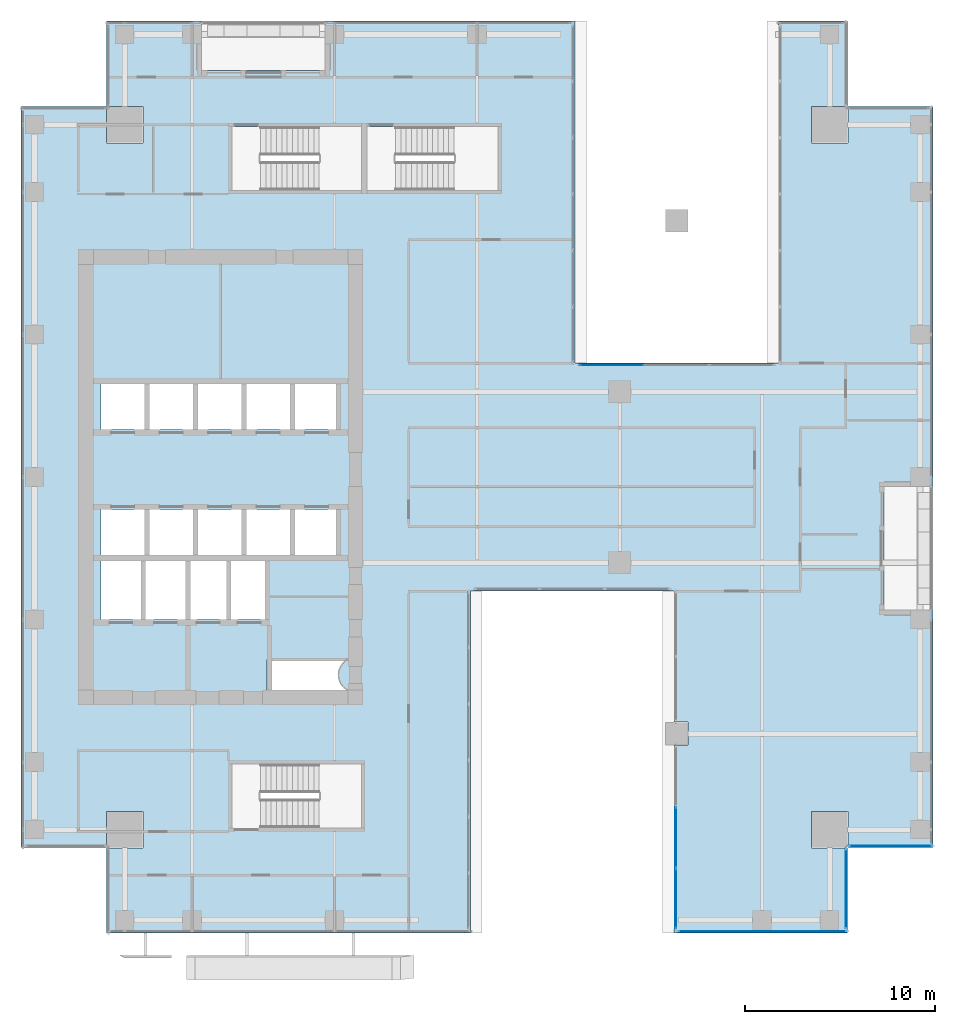
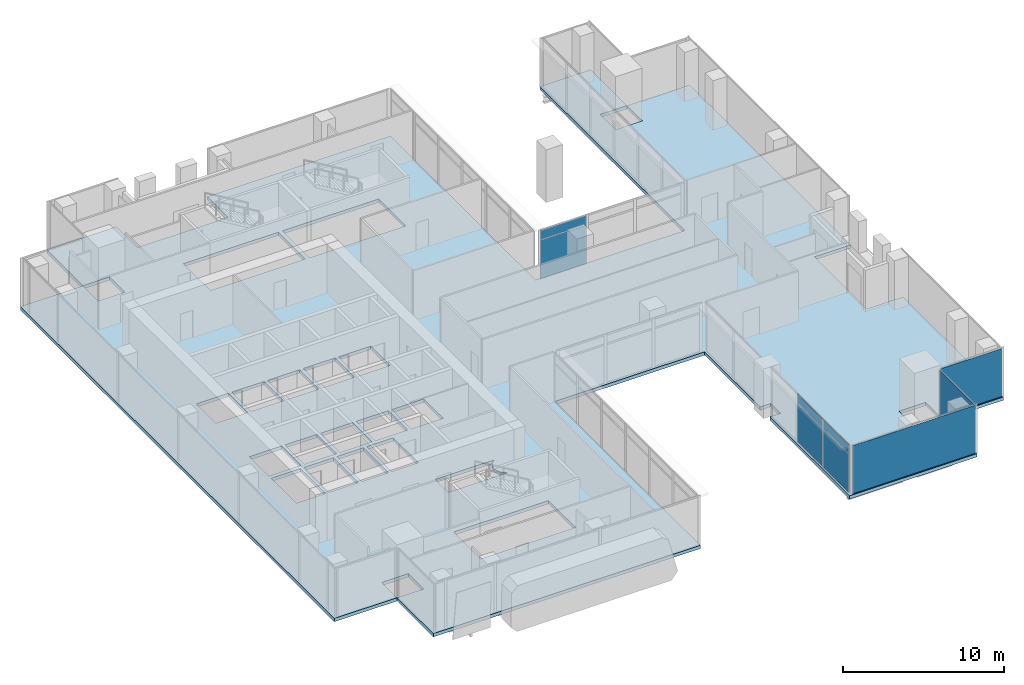
# One storey, part 29 of 38: 9 plates, 1 slab, 5 elements without a shape of their own.
"""IFC4 building model written with IfcOpenShell, lengths in metres."""

from ifc_helpers import new_model, si_unit, direction, frame, origin, origin_2d, place, context, subcontext, project, spatial, polyline, rectangle, outline, extrude, source, transform, mapped, material, layer, layer_set, type_object, element, aggregate, save


model = new_model("IFC4")

# Units and contexts
model_context = context("Model", 3, precision=1e-05, world=origin(), true_north=direction((0.0, 1.0)))
body_context = subcontext(model_context, "Body", "Model", "MODEL_VIEW")
ifc_project = project(units=[si_unit("LENGTHUNIT", "METRE"), si_unit("AREAUNIT", "SQUARE_METRE"), si_unit("VOLUMEUNIT", "CUBIC_METRE"), si_unit("PLANEANGLEUNIT", "RADIAN"), si_unit("MASSUNIT", "GRAM", prefix="KILO")], contexts=[model_context])

# Site, building, storey
site_placement = place(None, origin())
site = spatial("IfcSite", under=ifc_project, at=site_placement, CompositionType="ELEMENT")
building_placement = place(site_placement, origin())
building = spatial("IfcBuilding", under=site, at=building_placement, Name="Khomas Fold Tower", CompositionType="ELEMENT")
storey_placement = place(building_placement, frame((0.0, 0.0, 172.699951171875)))
storey = spatial("IfcBuildingStorey", under=building, at=storey_placement, Name="L37", CompositionType="ELEMENT", Elevation=172.699951171875)

# Slab
ifc_material_1 = material(Name="Concrete C40/50", Category="concrete")
ifc_layer_1 = layer(ifc_material_1, 0.25)
ifc_layer_set_1 = layer_set([ifc_layer_1], Name="Concrete C40/50")
slab_type = type_object("IfcSlabType", Name="RC floor slab 250", PredefinedType="FLOOR", material=ifc_layer_set_1)
shared_shape_1 = source(origin(), body_context, "Body", "SweptSolid", [
    extrude(outline(polyline([(3.0, 7.5), (7.4951171875, 7.5), (7.4951171875, 9.405029296875), (9.405029296875, 9.405029296875), (9.405029296875, 7.4951171875), (7.5, 7.4951171875), (7.5, 3.0), (26.64990234375, 3.0), (26.64990234375, 21.0), (37.35009765625, 21.0), (37.35009765625, 14.10498046875), (38.10498046875, 14.10498046875), (38.10498046875, 12.89501953125), (37.35009765625, 12.89501953125), (37.35009765625, 3.0), (46.5, 3.0), (46.5, 7.4951171875), (44.594970703125, 7.4951171875), (44.594970703125, 9.405029296875), (46.5048828125, 9.405029296875), (46.5048828125, 7.5), (51.0, 7.5), (51.0, 20.0), (48.39990234375, 20.0), (48.39990234375, 26.5), (51.0, 26.5), (51.0, 46.5), (46.5048828125, 46.5), (46.5048828125, 44.594970703125), (44.594970703125, 44.594970703125), (44.594970703125, 46.5048828125), (46.5, 46.5048828125), (46.5, 51.0), (42.85009765625, 51.0), (42.85009765625, 33.0), (32.14990234375, 33.0), (32.14990234375, 51.0), (19.0, 51.0), (19.0, 48.39990234375), (12.5, 48.39990234375), (12.5, 51.0), (7.5, 51.0), (7.5, 46.5048828125), (9.405029296875, 46.5048828125), (9.405029296875, 44.594970703125), (7.4951171875, 44.594970703125), (7.4951171875, 46.5), (3.0, 46.5), (3.0, 7.5)]), holes=[polyline([(7.199951171875, 19.5), (7.199951171875, 22.60009765625), (9.300048828125, 22.60009765625), (9.300048828125, 19.5), (7.199951171875, 19.5)]), polyline([(7.199951171875, 22.89990234375), (7.199951171875, 25.300048828125), (9.5, 25.300048828125), (9.5, 22.89990234375), (7.199951171875, 22.89990234375)]), polyline([(7.199951171875, 29.5), (7.199951171875, 31.89990234375), (9.5, 31.89990234375), (9.5, 29.5), (7.199951171875, 29.5)]), polyline([(9.550048828125, 19.5), (9.550048828125, 22.60009765625), (11.64990234375, 22.60009765625), (11.64990234375, 19.5), (9.550048828125, 19.5)]), polyline([(9.75, 22.89990234375), (9.75, 25.300048828125), (12.050048828125, 25.300048828125), (12.050048828125, 22.89990234375), (9.75, 22.89990234375)]), polyline([(9.75, 29.5), (9.75, 31.89990234375), (12.050048828125, 31.89990234375), (12.050048828125, 29.5), (9.75, 29.5)]), polyline([(11.89990234375, 19.5), (11.89990234375, 22.60009765625), (13.800048828125, 22.60009765625), (13.800048828125, 19.5), (11.89990234375, 19.5)]), polyline([(12.300048828125, 22.89990234375), (12.300048828125, 25.300048828125), (14.60009765625, 25.300048828125), (14.60009765625, 22.89990234375), (12.300048828125, 22.89990234375)]), polyline([(12.300048828125, 29.5), (12.300048828125, 31.89990234375), (14.60009765625, 31.89990234375), (14.60009765625, 29.5), (12.300048828125, 29.5)]), polyline([(14.050048828125, 19.5), (14.050048828125, 22.60009765625), (15.949951171875, 22.60009765625), (15.949951171875, 19.5), (14.050048828125, 19.5)]), polyline([(14.10009765625, 8.550048828125), (14.10009765625, 11.89990234375), (20.89990234375, 11.89990234375), (20.89990234375, 8.550048828125), (14.10009765625, 8.550048828125)]), polyline([(14.10009765625, 42.10009765625), (14.10009765625, 45.449951171875), (20.89990234375, 45.449951171875), (20.89990234375, 42.10009765625), (14.10009765625, 42.10009765625)]), polyline([(14.85009765625, 22.89990234375), (14.85009765625, 25.300048828125), (17.14990234375, 25.300048828125), (17.14990234375, 22.89990234375), (14.85009765625, 22.89990234375)]), polyline([(14.85009765625, 29.5), (14.85009765625, 31.89990234375), (17.14990234375, 31.89990234375), (17.14990234375, 29.5), (14.85009765625, 29.5)]), polyline([(15.949951171875, 15.800048828125), (15.949951171875, 17.39990234375), (20.18896484375, 17.39990234375), (20.17578125, 17.393798828125), (20.10009765625, 17.348388671875), (20.029052734375, 17.295654296875), (19.963623046875, 17.236328125), (19.904296875, 17.1708984375), (19.851806640625, 17.10009765625), (19.806396484375, 17.0244140625), (19.7685546875, 16.9443359375), (19.73876953125, 16.861328125), (19.71728515625, 16.775634765625), (19.704345703125, 16.688232421875), (19.699951171875, 16.60009765625), (19.704345703125, 16.51171875), (19.71728515625, 16.42431640625), (19.73876953125, 16.338623046875), (19.7685546875, 16.255615234375), (19.806396484375, 16.17578125), (19.851806640625, 16.10009765625), (19.904296875, 16.029052734375), (19.963623046875, 15.963623046875), (20.029052734375, 15.904296875), (20.10009765625, 15.851806640625), (20.17578125, 15.806396484375), (20.18896484375, 15.800048828125), (15.949951171875, 15.800048828125)]), polyline([(17.39990234375, 22.89990234375), (17.39990234375, 25.300048828125), (19.699951171875, 25.300048828125), (19.699951171875, 22.89990234375), (17.39990234375, 22.89990234375)]), polyline([(17.39990234375, 29.5), (17.39990234375, 31.89990234375), (19.699951171875, 31.89990234375), (19.699951171875, 29.5), (17.39990234375, 29.5)]), polyline([(21.199951171875, 42.10009765625), (21.199951171875, 45.449951171875), (28.10009765625, 45.449951171875), (28.10009765625, 42.10009765625), (21.199951171875, 42.10009765625)])]), origin(), (0.0, 0.0, 1.0), 0.25),
])
slab_placement = place(storey_placement, frame((0.0, 0.0, -0.25)))
element("IfcSlab", 1, at=slab_placement, inside=storey, type_object=slab_type, Name="S-L37", PredefinedType="FLOOR", context=body_context, shape_type="MappedRepresentation", body=[
    mapped(shared_shape_1, transform((0.0, 0.0, 0.0))),
])

# Curtain wall, plate
ifc_material_2 = material(Name="Aluminium framed double glazing", Category="aluminium")
curtain_wall_type_1 = type_object("IfcCurtainWallType", Name="SK-Unitised clear-glass wall, office floors CW2", PredefinedType="NOTDEFINED", material=ifc_material_2)
curtain_wall_1_placement = place(storey_placement, origin())
curtain_wall_1 = element("IfcCurtainWall", 2, at=curtain_wall_1_placement, inside=storey, type_object=curtain_wall_type_1, Name="CW2 corner return L37 07", PredefinedType="NOTDEFINED")
ifc_material_3 = material(Name="Clear double glazed unit")
ifc_layer_2 = layer(ifc_material_3, 0.030029296875)
ifc_layer_set_2 = layer_set([ifc_layer_2], Name="Clear double glazed unit")
plate_type_1 = type_object("IfcPlateType", Name="SK-Unitised clear-glass wall, office floors glass panel CW2-P", PredefinedType="CURTAIN_PANEL", material=ifc_layer_set_2)
shared_shape_2 = source(origin(), body_context, "Body", "SweptSolid", [
    extrude(rectangle(XDim=4.3798828125, YDim=0.030029296875, at=origin_2d()), origin(), (0.0, 0.0, 1.0), 3.639892578125),
])
plate_1_placement = place(storey_placement, frame((48.75, 7.60009765625, 0.0), z_axis=(0.0, 0.0, 1.0), x_axis=(1.0, 0.0, 0.0)))
plate_1 = element("IfcPlate", 3, at=plate_1_placement, type_object=plate_type_1, Name="CW2 glass panel 1", PredefinedType="CURTAIN_PANEL", context=body_context, shape_type="MappedRepresentation", body=[
    mapped(shared_shape_2, transform((0.0, 0.0, 0.0))),
])
aggregate(curtain_wall_1, [plate_1])

curtain_wall_2_placement = place(storey_placement, origin())
curtain_wall_2 = element("IfcCurtainWall", 4, at=curtain_wall_2_placement, inside=storey, type_object=curtain_wall_type_1, Name="CW2 corner return L37 06", PredefinedType="NOTDEFINED")
shared_shape_3 = source(origin(), body_context, "Body", "SweptSolid", [
    extrude(rectangle(XDim=4.179931640625, YDim=0.030029296875, at=origin_2d()), origin(), (0.0, 0.0, 1.0), 3.639892578125),
])
plate_2_placement = place(storey_placement, frame((46.39990234375, 5.35009765625, 0.0), z_axis=(0.0, 0.0, 1.0), x_axis=(0.0, 1.0, 0.0)))
plate_2 = element("IfcPlate", 5, at=plate_2_placement, type_object=plate_type_1, Name="CW2 glass panel 1", PredefinedType="CURTAIN_PANEL", context=body_context, shape_type="MappedRepresentation", body=[
    mapped(shared_shape_3, transform((0.0, 0.0, 0.0))),
])
aggregate(curtain_wall_2, [plate_2])

curtain_wall_3_placement = place(storey_placement, origin())
curtain_wall_3 = element("IfcCurtainWall", 6, at=curtain_wall_3_placement, inside=storey, type_object=curtain_wall_type_1, Name="CW2 run L37 05-0", PredefinedType="NOTDEFINED")
shared_shape_4 = source(origin(), body_context, "Body", "SweptSolid", [
    extrude(rectangle(XDim=8.830078125, YDim=0.030029296875, at=origin_2d()), origin(), (0.0, 0.0, 1.0), 3.639892578125),
])
plate_3_placement = place(storey_placement, frame((42.02490234375, 3.10009765625, 0.0), z_axis=(0.0, 0.0, 1.0), x_axis=(1.0, 0.0, 0.0)))
plate_3 = element("IfcPlate", 7, at=plate_3_placement, type_object=plate_type_1, Name="CW2 glass panel 1", PredefinedType="CURTAIN_PANEL", context=body_context, shape_type="MappedRepresentation", body=[
    mapped(shared_shape_4, transform((0.0, 0.0, 0.0))),
])
aggregate(curtain_wall_3, [plate_3])

# Curtain wall, plates
ifc_material_4 = material(Name="Aluminium framed double glazing", Category="aluminium")
curtain_wall_type_2 = type_object("IfcCurtainWallType", Name="Notch glazing GN-CW", PredefinedType="NOTDEFINED", material=ifc_material_4)
curtain_wall_4_placement = place(storey_placement, origin())
curtain_wall_4 = element("IfcCurtainWall", 8, at=curtain_wall_4_placement, inside=storey, type_object=curtain_wall_type_2, Name="Notch glazing run", PredefinedType="NOTDEFINED")
ifc_material_5 = material(Name="Double glazed unit")
ifc_layer_3 = layer(ifc_material_5, 0.031982421875)
ifc_layer_set_3 = layer_set([ifc_layer_3], Name="Double glazed unit")
plate_type_2 = type_object("IfcPlateType", Name="Notch glazing panel GN-CW-P", PredefinedType="CURTAIN_PANEL", material=ifc_layer_set_3)
shared_shape_5 = source(origin(), body_context, "Body", "SweptSolid", [
    extrude(rectangle(XDim=3.13671875, YDim=0.031982421875, at=origin_2d()), origin(), (0.0, 0.0, 1.0), 2.909912109375),
])
plate_4_placement = place(storey_placement, frame((37.449951171875, 4.828369140625, 0.06005859375), z_axis=(0.0, 0.0, 1.0), x_axis=(0.0, -1.0, 0.0)))
plate_4 = element("IfcPlate", 9, at=plate_4_placement, type_object=plate_type_2, Name="GN-CW panel 3.1", PredefinedType="CURTAIN_PANEL", context=body_context, shape_type="MappedRepresentation", body=[
    mapped(shared_shape_5, transform((0.0, 0.0, 0.0))),
])
shared_shape_6 = source(origin(), body_context, "Body", "SweptSolid", [
    extrude(rectangle(XDim=3.13671875, YDim=0.031982421875, at=origin_2d()), origin(), (0.0, 0.0, 1.0), 0.659912109375),
])
plate_5_placement = place(storey_placement, frame((37.449951171875, 4.828369140625, 3.0302734375), z_axis=(0.0, 0.0, 1.0), x_axis=(0.0, -1.0, 0.0)))
plate_5 = element("IfcPlate", 10, at=plate_5_placement, type_object=plate_type_2, Name="GN-CW panel 3.2", PredefinedType="CURTAIN_PANEL", context=body_context, shape_type="MappedRepresentation", body=[
    mapped(shared_shape_6, transform((0.0, 0.0, 0.0))),
])
shared_shape_7 = source(origin(), body_context, "Body", "SweptSolid", [
    extrude(rectangle(XDim=3.166748046875, YDim=0.031982421875, at=origin_2d()), origin(), (0.0, 0.0, 1.0), 2.909912109375),
])
plate_6_placement = place(storey_placement, frame((37.449951171875, 8.0400390625, 0.06005859375), z_axis=(0.0, 0.0, 1.0), x_axis=(0.0, -1.0, 0.0)))
plate_6 = element("IfcPlate", 11, at=plate_6_placement, type_object=plate_type_2, Name="GN-CW panel 2.1", PredefinedType="CURTAIN_PANEL", context=body_context, shape_type="MappedRepresentation", body=[
    mapped(shared_shape_7, transform((0.0, 0.0, 0.0))),
])
shared_shape_8 = source(origin(), body_context, "Body", "SweptSolid", [
    extrude(rectangle(XDim=3.166748046875, YDim=0.031982421875, at=origin_2d()), origin(), (0.0, 0.0, 1.0), 0.659912109375),
])
plate_7_placement = place(storey_placement, frame((37.449951171875, 8.0400390625, 3.0302734375), z_axis=(0.0, 0.0, 1.0), x_axis=(0.0, -1.0, 0.0)))
plate_7 = element("IfcPlate", 12, at=plate_7_placement, type_object=plate_type_2, Name="GN-CW panel 2.2", PredefinedType="CURTAIN_PANEL", context=body_context, shape_type="MappedRepresentation", body=[
    mapped(shared_shape_8, transform((0.0, 0.0, 0.0))),
])
aggregate(curtain_wall_4, [plate_6, plate_7, plate_4, plate_5])

curtain_wall_5_placement = place(storey_placement, origin())
curtain_wall_5 = element("IfcCurtainWall", 13, at=curtain_wall_5_placement, inside=storey, type_object=curtain_wall_type_2, Name="Notch glazing run", PredefinedType="NOTDEFINED")
shared_shape_9 = source(origin(), body_context, "Body", "SweptSolid", [
    extrude(rectangle(XDim=3.34326171875, YDim=0.031982421875, at=origin_2d()), origin(), (0.0, 0.0, 1.0), 2.909912109375),
])
plate_8_placement = place(storey_placement, frame((34.081787109375, 32.89990234375, 0.06005859375), z_axis=(0.0, 0.0, 1.0), x_axis=(-1.0, 0.0, 0.0)))
plate_8 = element("IfcPlate", 14, at=plate_8_placement, type_object=plate_type_2, Name="GN-CW panel 3.1", PredefinedType="CURTAIN_PANEL", context=body_context, shape_type="MappedRepresentation", body=[
    mapped(shared_shape_9, transform((0.0, 0.0, 0.0))),
])
shared_shape_10 = source(origin(), body_context, "Body", "SweptSolid", [
    extrude(rectangle(XDim=3.34326171875, YDim=0.031982421875, at=origin_2d()), origin(), (0.0, 0.0, 1.0), 0.659912109375),
])
plate_9_placement = place(storey_placement, frame((34.081787109375, 32.89990234375, 3.0302734375), z_axis=(0.0, 0.0, 1.0), x_axis=(-1.0, 0.0, 0.0)))
plate_9 = element("IfcPlate", 15, at=plate_9_placement, type_object=plate_type_2, Name="GN-CW panel 3.2", PredefinedType="CURTAIN_PANEL", context=body_context, shape_type="MappedRepresentation", body=[
    mapped(shared_shape_10, transform((0.0, 0.0, 0.0))),
])
aggregate(curtain_wall_5, [plate_8, plate_9])

save(model, "model.ifc")
